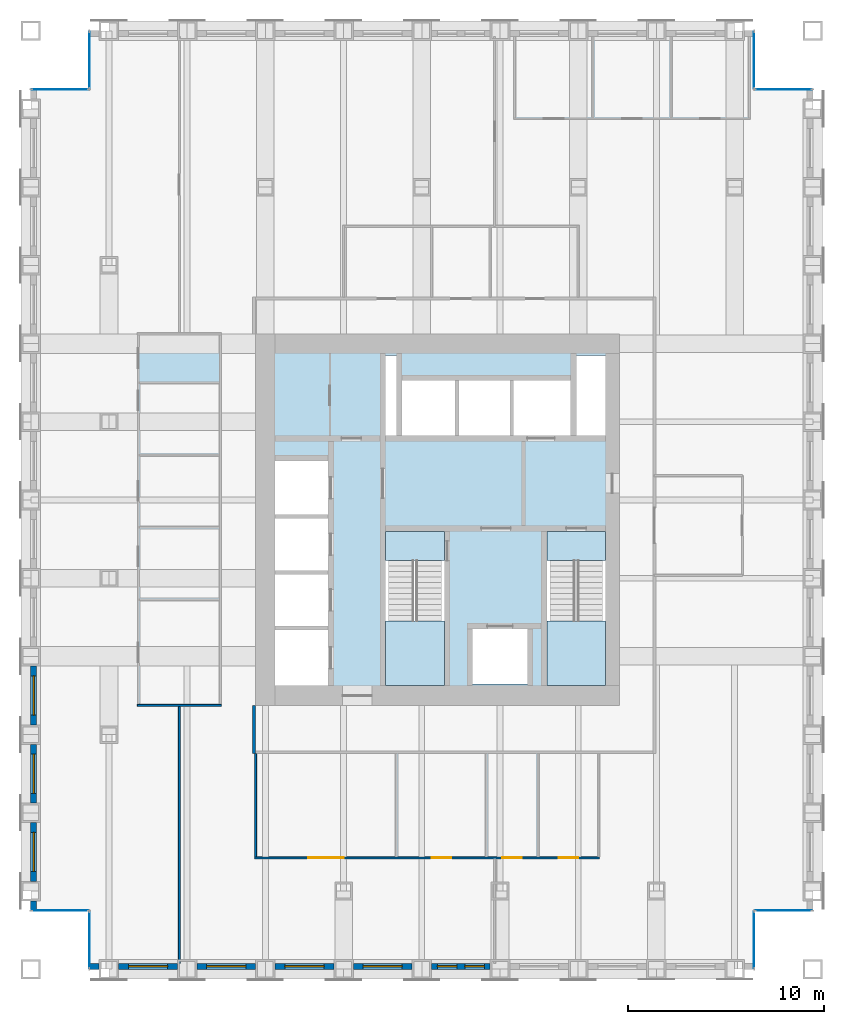
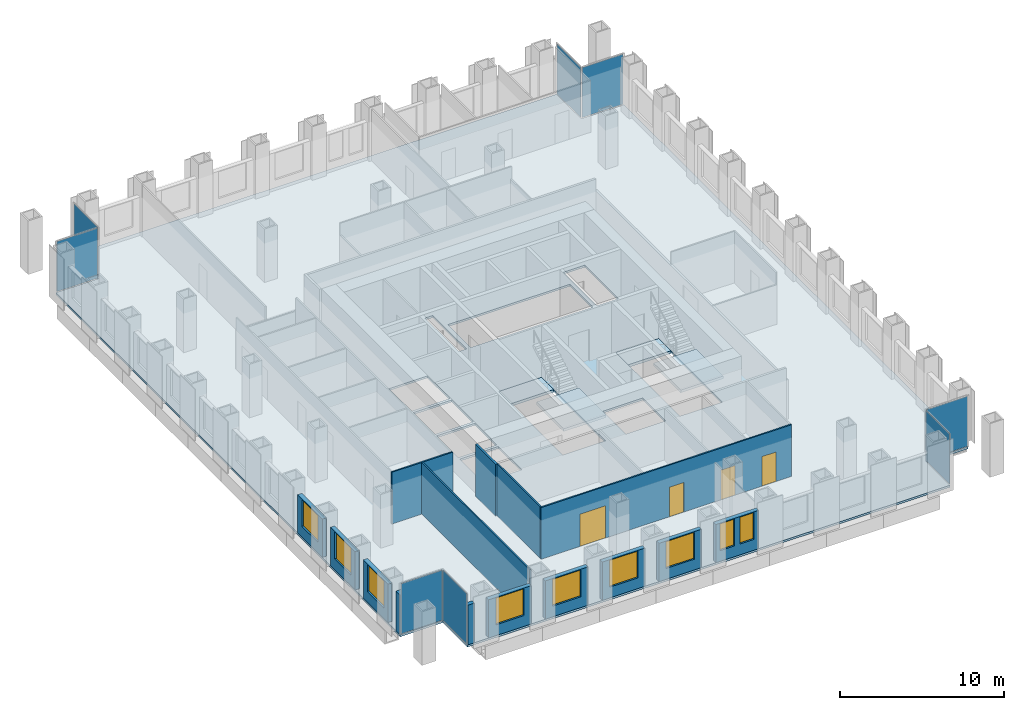
# One storey, part 7 of 12: 15 walls, 9 windows, 8 plates, 5 slabs, 4 doors, 13 openings, 10 elements without a shape of their own.
"""IFC4 building model written with IfcOpenShell, lengths in metres."""

from ifc_helpers import new_model, si_unit, direction, frame, frame_2d, origin, origin_2d, place, context, subcontext, project, spatial, polyline, rectangle, outline, extrude, material, layer, layer_set, type_object, element, fill, aggregate, save


model = new_model("IFC4")

# Units and contexts
model_context = context("Model", 3, precision=1e-05, world=origin(), true_north=direction((0.0, 1.0)))
body_context = subcontext(model_context, "Body", "Model", "MODEL_VIEW")
ifc_project = project(units=[si_unit("LENGTHUNIT", "METRE"), si_unit("AREAUNIT", "SQUARE_METRE"), si_unit("VOLUMEUNIT", "CUBIC_METRE"), si_unit("PLANEANGLEUNIT", "RADIAN"), si_unit("MASSUNIT", "GRAM", prefix="KILO")], contexts=[model_context])

# Site, building, storey
site_placement = place(None, origin())
site = spatial("IfcSite", under=ifc_project, at=site_placement, CompositionType="ELEMENT")
building_placement = place(site_placement, origin())
building = spatial("IfcBuilding", under=site, at=building_placement, Name="Rimbunsela Tower", CompositionType="ELEMENT")
storey_placement = place(building_placement, frame((0.0, 0.0, 159.800048828125)))
storey = spatial("IfcBuildingStorey", under=building, at=storey_placement, Name="L38", CompositionType="ELEMENT", Elevation=159.800048828125)

# Slab
ifc_material_1 = material(Name="Concrete fc' 35 MPa", Category="concrete")
ifc_layer_1 = layer(ifc_material_1, 0.14990234375)
ifc_layer_set_1 = layer_set([ifc_layer_1], Name="Floor slab 150")
slab_type_1 = type_object("IfcSlabType", Name="Floor slab 150", PredefinedType="FLOOR", material=ifc_layer_set_1)
slab_1_placement = place(storey_placement, frame((0.0, 0.0, -0.150146484375)))
element("IfcSlab", 1, at=slab_1_placement, inside=storey, type_object=slab_type_1, Name="Floor slab L38", PredefinedType="FLOOR", context=body_context, shape_type="SweptSolid", body=[
    extrude(outline(polyline([(9.0, 4.0), (43.0, 4.0), (43.0, 7.0), (46.0, 7.0), (46.0, 49.0), (43.0, 49.0), (43.0, 52.0), (9.0, 52.0), (9.0, 49.0), (6.0, 49.0), (6.0, 7.0), (9.0, 7.0), (9.0, 4.0)]), holes=[polyline([(21.199951171875, 21.35009765625), (18.5, 21.35009765625), (18.5, 18.5), (21.199951171875, 18.5), (21.199951171875, 21.35009765625)]), polyline([(21.199951171875, 21.550048828125), (21.199951171875, 24.199951171875), (18.5, 24.199951171875), (18.5, 21.550048828125), (21.199951171875, 21.550048828125)]), polyline([(21.199951171875, 27.050048828125), (18.5, 27.050048828125), (18.5, 24.39990234375), (21.199951171875, 24.39990234375), (21.199951171875, 27.050048828125)]), polyline([(21.199951171875, 27.25), (21.199951171875, 30.0), (18.5, 30.0), (18.5, 27.25), (21.199951171875, 27.25)]), polyline([(27.14990234375, 18.60009765625), (27.14990234375, 26.39990234375), (24.14990234375, 26.39990234375), (24.14990234375, 18.60009765625), (27.14990234375, 18.60009765625)]), polyline([(24.699951171875, 31.300048828125), (24.699951171875, 35.39990234375), (24.14990234375, 35.39990234375), (24.14990234375, 31.300048828125), (24.699951171875, 31.300048828125)]), polyline([(25.0, 34.10009765625), (25.0, 31.300048828125), (33.60009765625, 31.300048828125), (33.60009765625, 34.10009765625), (25.0, 34.10009765625)]), polyline([(31.39990234375, 21.39990234375), (28.60009765625, 21.39990234375), (28.60009765625, 18.60009765625), (31.39990234375, 18.60009765625), (31.39990234375, 21.39990234375)]), polyline([(35.39990234375, 18.60009765625), (35.39990234375, 26.39990234375), (32.39990234375, 26.39990234375), (32.39990234375, 18.60009765625), (35.39990234375, 18.60009765625)]), polyline([(35.39990234375, 31.300048828125), (35.39990234375, 35.39990234375), (33.89990234375, 35.39990234375), (33.89990234375, 31.300048828125), (35.39990234375, 31.300048828125)])]), origin(), (0.0, 0.0, 1.0), 0.150146484375),
])

# Curtain wall, plate
ifc_material_2 = material(Name="Aluminium curtain wall", Category="aluminium")
curtain_wall_type = type_object("IfcCurtainWallType", Name="Corner glazing", PredefinedType="USERDEFINED", material=ifc_material_2)
curtain_wall_1_placement = place(storey_placement, origin())
curtain_wall_1 = element("IfcCurtainWall", 2, at=curtain_wall_1_placement, inside=storey, type_object=curtain_wall_type, Name="Corner glazing L38", ObjectType="CORNER GLAZING", PredefinedType="USERDEFINED")
ifc_material_3 = material(Name="Clear double glazing", Category="glass")
ifc_layer_2 = layer(ifc_material_3, 0.028076171875)
ifc_layer_set_2 = layer_set([ifc_layer_2], Name="Glazed panel clear")
plate_type = type_object("IfcPlateType", Name="Glazed panel clear", PredefinedType="CURTAIN_PANEL", material=ifc_layer_set_2)
plate_1_placement = place(storey_placement, frame((43.0, 5.5, 0.06005859375), z_axis=(0.0, 0.0, 1.0), x_axis=(0.0, 1.0, 0.0)))
plate_1 = element("IfcPlate", 3, at=plate_1_placement, type_object=plate_type, Name="CW5 panel 1.1", PredefinedType="CURTAIN_PANEL", context=body_context, shape_type="SweptSolid", body=[
    extrude(rectangle(XDim=2.8798828125, YDim=0.028076171875, at=origin_2d()), origin(), (0.0, 0.0, 1.0), 3.72998046875),
])
aggregate(curtain_wall_1, [plate_1])

curtain_wall_2_placement = place(storey_placement, origin())
curtain_wall_2 = element("IfcCurtainWall", 4, at=curtain_wall_2_placement, inside=storey, type_object=curtain_wall_type, Name="Corner glazing L38", ObjectType="CORNER GLAZING", PredefinedType="USERDEFINED")
plate_2_placement = place(storey_placement, frame((44.5, 7.0, 0.06005859375), z_axis=(0.0, 0.0, 1.0), x_axis=(1.0, 0.0, 0.0)))
plate_2 = element("IfcPlate", 5, at=plate_2_placement, type_object=plate_type, Name="CW5 panel 1.1", PredefinedType="CURTAIN_PANEL", context=body_context, shape_type="SweptSolid", body=[
    extrude(rectangle(XDim=2.8798828125, YDim=0.028076171875, at=origin_2d()), origin(), (0.0, 0.0, 1.0), 3.72998046875),
])
aggregate(curtain_wall_2, [plate_2])

curtain_wall_3_placement = place(storey_placement, origin())
curtain_wall_3 = element("IfcCurtainWall", 6, at=curtain_wall_3_placement, inside=storey, type_object=curtain_wall_type, Name="Corner glazing L38", ObjectType="CORNER GLAZING", PredefinedType="USERDEFINED")
plate_3_placement = place(storey_placement, frame((44.5, 49.0, 0.06005859375), z_axis=(0.0, 0.0, 1.0), x_axis=(-1.0, 0.0, 0.0)))
plate_3 = element("IfcPlate", 7, at=plate_3_placement, type_object=plate_type, Name="CW5 panel 1.1", PredefinedType="CURTAIN_PANEL", context=body_context, shape_type="SweptSolid", body=[
    extrude(rectangle(XDim=2.8798828125, YDim=0.028076171875, at=origin_2d()), origin(), (0.0, 0.0, 1.0), 3.72998046875),
])
aggregate(curtain_wall_3, [plate_3])

curtain_wall_4_placement = place(storey_placement, origin())
curtain_wall_4 = element("IfcCurtainWall", 8, at=curtain_wall_4_placement, inside=storey, type_object=curtain_wall_type, Name="Corner glazing L38", ObjectType="CORNER GLAZING", PredefinedType="USERDEFINED")
plate_4_placement = place(storey_placement, frame((43.0, 50.5, 0.06005859375), z_axis=(0.0, 0.0, 1.0), x_axis=(0.0, 1.0, 0.0)))
plate_4 = element("IfcPlate", 9, at=plate_4_placement, type_object=plate_type, Name="CW5 panel 1.1", PredefinedType="CURTAIN_PANEL", context=body_context, shape_type="SweptSolid", body=[
    extrude(rectangle(XDim=2.8798828125, YDim=0.028076171875, at=origin_2d()), origin(), (0.0, 0.0, 1.0), 3.72998046875),
])
aggregate(curtain_wall_4, [plate_4])

curtain_wall_5_placement = place(storey_placement, origin())
curtain_wall_5 = element("IfcCurtainWall", 10, at=curtain_wall_5_placement, inside=storey, type_object=curtain_wall_type, Name="Corner glazing L38", ObjectType="CORNER GLAZING", PredefinedType="USERDEFINED")
plate_5_placement = place(storey_placement, frame((9.0, 50.5, 0.06005859375), z_axis=(0.0, 0.0, 1.0), x_axis=(0.0, -1.0, 0.0)))
plate_5 = element("IfcPlate", 11, at=plate_5_placement, type_object=plate_type, Name="CW5 panel 1.1", PredefinedType="CURTAIN_PANEL", context=body_context, shape_type="SweptSolid", body=[
    extrude(rectangle(XDim=2.8798828125, YDim=0.028076171875, at=origin_2d()), origin(), (0.0, 0.0, 1.0), 3.72998046875),
])
aggregate(curtain_wall_5, [plate_5])

curtain_wall_6_placement = place(storey_placement, origin())
curtain_wall_6 = element("IfcCurtainWall", 12, at=curtain_wall_6_placement, inside=storey, type_object=curtain_wall_type, Name="Corner glazing L38", ObjectType="CORNER GLAZING", PredefinedType="USERDEFINED")
plate_6_placement = place(storey_placement, frame((7.5, 49.0, 0.06005859375), z_axis=(0.0, 0.0, 1.0), x_axis=(-1.0, 0.0, 0.0)))
plate_6 = element("IfcPlate", 13, at=plate_6_placement, type_object=plate_type, Name="CW5 panel 1.1", PredefinedType="CURTAIN_PANEL", context=body_context, shape_type="SweptSolid", body=[
    extrude(rectangle(XDim=2.8798828125, YDim=0.028076171875, at=origin_2d()), origin(), (0.0, 0.0, 1.0), 3.72998046875),
])
aggregate(curtain_wall_6, [plate_6])

curtain_wall_7_placement = place(storey_placement, origin())
curtain_wall_7 = element("IfcCurtainWall", 14, at=curtain_wall_7_placement, inside=storey, type_object=curtain_wall_type, Name="Corner glazing L38", ObjectType="CORNER GLAZING", PredefinedType="USERDEFINED")
plate_7_placement = place(storey_placement, frame((7.5, 7.0, 0.06005859375), z_axis=(0.0, 0.0, 1.0), x_axis=(1.0, 0.0, 0.0)))
plate_7 = element("IfcPlate", 15, at=plate_7_placement, type_object=plate_type, Name="CW5 panel 1.1", PredefinedType="CURTAIN_PANEL", context=body_context, shape_type="SweptSolid", body=[
    extrude(rectangle(XDim=2.8798828125, YDim=0.028076171875, at=origin_2d()), origin(), (0.0, 0.0, 1.0), 3.72998046875),
])
aggregate(curtain_wall_7, [plate_7])

curtain_wall_8_placement = place(storey_placement, origin())
curtain_wall_8 = element("IfcCurtainWall", 16, at=curtain_wall_8_placement, inside=storey, type_object=curtain_wall_type, Name="Corner glazing L38", ObjectType="CORNER GLAZING", PredefinedType="USERDEFINED")
plate_8_placement = place(storey_placement, frame((9.0, 5.5, 0.06005859375), z_axis=(0.0, 0.0, 1.0), x_axis=(0.0, -1.0, 0.0)))
plate_8 = element("IfcPlate", 17, at=plate_8_placement, type_object=plate_type, Name="CW5 panel 1.1", PredefinedType="CURTAIN_PANEL", context=body_context, shape_type="SweptSolid", body=[
    extrude(rectangle(XDim=2.8798828125, YDim=0.028076171875, at=origin_2d()), origin(), (0.0, 0.0, 1.0), 3.72998046875),
])
aggregate(curtain_wall_8, [plate_8])

# Stair, slabs
ifc_material_4 = material(Name="Concrete fc' 35 MPa", Category="concrete")
stair_type = type_object("IfcStairType", Name="Exit stair 24 risers", PredefinedType="HALF_TURN_STAIR", material=ifc_material_4)
stair_1_placement = place(storey_placement, origin())
stair_1 = element("IfcStair", 18, at=stair_1_placement, inside=storey, type_object=stair_type, Name="Exit stair A L38", PredefinedType="HALF_TURN_STAIR")
ifc_material_5 = material(Name="Concrete fc' 35 MPa", Category="concrete")
ifc_layer_3 = layer(ifc_material_5, 0.199951171875)
ifc_layer_set_3 = layer_set([ifc_layer_3], Name="Stair landing 200")
slab_type_2 = type_object("IfcSlabType", Name="Stair landing 200", PredefinedType="LANDING", material=ifc_layer_set_3)
slab_2_placement = place(storey_placement, frame((0.0, 0.0, -0.199951171875)))
slab_2 = element("IfcSlab", 19, at=slab_2_placement, type_object=slab_type_2, Name="ST-A landing 1", PredefinedType="LANDING", context=body_context, shape_type="SweptSolid", body=[
    extrude(outline(polyline([(24.14990234375, 24.89990234375), (27.14990234375, 24.89990234375), (27.14990234375, 26.39990234375), (24.14990234375, 26.39990234375), (24.14990234375, 24.89990234375)])), origin(), (0.0, 0.0, 1.0), 0.199951171875),
])
slab_3_placement = place(storey_placement, frame((0.0, 0.0, 1.800048828125)))
slab_3 = element("IfcSlab", 20, at=slab_3_placement, type_object=slab_type_2, Name="ST-A landing 2", PredefinedType="LANDING", context=body_context, shape_type="SweptSolid", body=[
    extrude(outline(polyline([(24.14990234375, 18.5), (27.14990234375, 18.5), (27.14990234375, 21.820068359375), (24.14990234375, 21.820068359375), (24.14990234375, 18.5)])), origin(), (0.0, 0.0, 1.0), 0.199951171875),
])
aggregate(stair_1, [slab_2, slab_3])

stair_2_placement = place(storey_placement, origin())
stair_2 = element("IfcStair", 21, at=stair_2_placement, inside=storey, type_object=stair_type, Name="Exit stair B L38", PredefinedType="HALF_TURN_STAIR")
slab_4_placement = place(storey_placement, frame((0.0, 0.0, -0.199951171875)))
slab_4 = element("IfcSlab", 22, at=slab_4_placement, type_object=slab_type_2, Name="ST-B landing 1", PredefinedType="LANDING", context=body_context, shape_type="SweptSolid", body=[
    extrude(outline(polyline([(32.39990234375, 24.89990234375), (35.39990234375, 24.89990234375), (35.39990234375, 26.39990234375), (32.39990234375, 26.39990234375), (32.39990234375, 24.89990234375)])), origin(), (0.0, 0.0, 1.0), 0.199951171875),
])
slab_5_placement = place(storey_placement, frame((0.0, 0.0, 1.800048828125)))
slab_5 = element("IfcSlab", 23, at=slab_5_placement, type_object=slab_type_2, Name="ST-B landing 2", PredefinedType="LANDING", context=body_context, shape_type="SweptSolid", body=[
    extrude(outline(polyline([(32.39990234375, 18.5), (35.39990234375, 18.5), (35.39990234375, 21.820068359375), (32.39990234375, 21.820068359375), (32.39990234375, 18.5)])), origin(), (0.0, 0.0, 1.0), 0.199951171875),
])
aggregate(stair_2, [slab_4, slab_5])

# Wall, openings, doors
ifc_material_6 = material(Name="Gypsum board on steel studs", Category="steel")
ifc_layer_4 = layer(ifc_material_6, 0.10009765625)
ifc_layer_set_4 = layer_set([ifc_layer_4], Name="Office partition 100")
wall_type_1 = type_object("IfcWallType", Name="Office partition 100", PredefinedType="PARTITIONING", material=ifc_layer_set_4)
wall_1_placement = place(storey_placement, frame((17.449951171875, 9.699951171875, 0.0), z_axis=(0.0, 0.0, 1.0), x_axis=(1.0, 0.0, 0.0)))
wall_1 = element("IfcWall", 24, at=wall_1_placement, inside=storey, type_object=wall_type_1, Name="Office partition", PredefinedType="PARTITIONING", context=body_context, shape_type="SweptSolid", body=[
    extrude(rectangle(XDim=17.650146484375, YDim=0.10009765625, at=frame_2d((8.8251953125, 0.0))), origin(), (0.0, 0.0, 1.0), 3.849853515625),
])
opening_1_placement = place(wall_1_placement, frame((2.75, 0.0, 0.0)))
opening_1 = element("IfcOpeningElement", 25, at=opening_1_placement, cuts=wall_1, Name="Opening D18", PredefinedType="OPENING", context=body_context, shape_type="SweptSolid", body=[
    extrude(rectangle(XDim=1.800048828125, YDim=2.39990234375, at=frame_2d((0.89990234375, 1.199951171875))), frame((0.0, 0.06005859375, 0.0), z_axis=(0.0, -1.0, 0.0), x_axis=(1.0, 0.0, 0.0)), (0.0, 0.0, 1.0), 0.1201171875),
])
opening_2_placement = place(wall_1_placement, frame((9.050048828125, 0.0, 0.0)))
opening_2 = element("IfcOpeningElement", 26, at=opening_2_placement, cuts=wall_1, Name="Opening D16", PredefinedType="OPENING", context=body_context, shape_type="SweptSolid", body=[
    extrude(rectangle(XDim=1.0, YDim=2.199951171875, at=frame_2d((0.5, 1.10009765625))), frame((0.0, 0.06005859375, 0.0), z_axis=(0.0, -1.0, 0.0), x_axis=(1.0, 0.0, 0.0)), (0.0, 0.0, 1.0), 0.1201171875),
])
opening_3_placement = place(wall_1_placement, frame((12.675048828125, 0.0, 0.0)))
opening_3 = element("IfcOpeningElement", 27, at=opening_3_placement, cuts=wall_1, Name="Opening D16", PredefinedType="OPENING", context=body_context, shape_type="SweptSolid", body=[
    extrude(rectangle(XDim=1.0, YDim=2.199951171875, at=frame_2d((0.5, 1.10009765625))), frame((0.0, 0.06005859375, 0.0), z_axis=(0.0, -1.0, 0.0), x_axis=(1.0, 0.0, 0.0)), (0.0, 0.0, 1.0), 0.1201171875),
])
opening_4_placement = place(wall_1_placement, frame((15.550048828125, 0.0, 0.0)))
opening_4 = element("IfcOpeningElement", 28, at=opening_4_placement, cuts=wall_1, Name="Opening D16", PredefinedType="OPENING", context=body_context, shape_type="SweptSolid", body=[
    extrude(rectangle(XDim=1.0, YDim=2.199951171875, at=frame_2d((0.5, 1.10009765625))), frame((0.0, 0.06005859375, 0.0), z_axis=(0.0, -1.0, 0.0), x_axis=(1.0, 0.0, 0.0)), (0.0, 0.0, 1.0), 0.1201171875),
])
ifc_material_7 = material(Name="Glazed aluminium door", Category="aluminium")
door_type_1 = type_object("IfcDoorType", Name="Boardroom door 1800 glazed", OperationType="DOUBLE_DOOR_DOUBLE_SWING", PredefinedType="DOOR", material=ifc_material_7)
door_1_placement = place(opening_1_placement, origin())
door_1 = element("IfcDoor", 29, at=door_1_placement, inside=storey, type_object=door_type_1, Name="Boardroom door", OperationType="DOUBLE_DOOR_DOUBLE_SWING", OverallHeight=2.39990234375, OverallWidth=1.800048828125, PredefinedType="DOOR", context=body_context, shape_type="SweptSolid", body=[
    extrude(rectangle(XDim=1.800048828125, YDim=2.39990234375, at=frame_2d((0.89990234375, 1.199951171875))), frame((0.0, 0.02490234375, 0.0), z_axis=(0.0, -1.0, 0.0), x_axis=(1.0, 0.0, 0.0)), (0.0, 0.0, 1.0), 0.050048828125),
])
fill(opening_1, door_1)
ifc_material_8 = material(Name="Timber door", Category="wood")
door_type_2 = type_object("IfcDoorType", Name="Office door 1000", OperationType="SINGLE_SWING_LEFT", PredefinedType="DOOR", material=ifc_material_8)
door_2_placement = place(opening_2_placement, origin())
door_2 = element("IfcDoor", 30, at=door_2_placement, inside=storey, type_object=door_type_2, Name="Office door", OperationType="SINGLE_SWING_LEFT", OverallHeight=2.199951171875, OverallWidth=1.0, PredefinedType="DOOR", context=body_context, shape_type="SweptSolid", body=[
    extrude(rectangle(XDim=1.0, YDim=2.199951171875, at=frame_2d((0.5, 1.10009765625))), frame((0.0, 0.02490234375, 0.0), z_axis=(0.0, -1.0, 0.0), x_axis=(1.0, 0.0, 0.0)), (0.0, 0.0, 1.0), 0.050048828125),
])
fill(opening_2, door_2)
door_3_placement = place(opening_3_placement, origin())
door_3 = element("IfcDoor", 31, at=door_3_placement, inside=storey, type_object=door_type_2, Name="Office door", OperationType="SINGLE_SWING_LEFT", OverallHeight=2.199951171875, OverallWidth=1.0, PredefinedType="DOOR", context=body_context, shape_type="SweptSolid", body=[
    extrude(rectangle(XDim=1.0, YDim=2.199951171875, at=frame_2d((0.5, 1.10009765625))), frame((0.0, 0.02490234375, 0.0), z_axis=(0.0, -1.0, 0.0), x_axis=(1.0, 0.0, 0.0)), (0.0, 0.0, 1.0), 0.050048828125),
])
fill(opening_3, door_3)
door_4_placement = place(opening_4_placement, origin())
door_4 = element("IfcDoor", 32, at=door_4_placement, inside=storey, type_object=door_type_2, Name="Office door", OperationType="SINGLE_SWING_LEFT", OverallHeight=2.199951171875, OverallWidth=1.0, PredefinedType="DOOR", context=body_context, shape_type="SweptSolid", body=[
    extrude(rectangle(XDim=1.0, YDim=2.199951171875, at=frame_2d((0.5, 1.10009765625))), frame((0.0, 0.02490234375, 0.0), z_axis=(0.0, -1.0, 0.0), x_axis=(1.0, 0.0, 0.0)), (0.0, 0.0, 1.0), 0.050048828125),
])
fill(opening_4, door_4)

# Walls
wall_2_placement = place(storey_placement, frame((11.449951171875, 17.5, 0.0), z_axis=(0.0, 0.0, 1.0), x_axis=(1.0, 0.0, 0.0)))
element("IfcWall", 33, at=wall_2_placement, inside=storey, type_object=wall_type_1, Name="Office partition", PredefinedType="PARTITIONING", context=body_context, shape_type="SweptSolid", body=[
    extrude(rectangle(XDim=4.300048828125, YDim=0.10009765625, at=frame_2d((2.14990234375, 0.0))), origin(), (0.0, 0.0, 1.0), 3.849853515625),
])
wall_3_placement = place(storey_placement, frame((17.5, 9.75, 0.0), z_axis=(0.0, 0.0, 1.0), x_axis=(0.0, 1.0, 0.0)))
element("IfcWall", 34, at=wall_3_placement, inside=storey, type_object=wall_type_1, Name="Office partition", PredefinedType="PARTITIONING", context=body_context, shape_type="SweptSolid", body=[
    extrude(rectangle(XDim=5.27490234375, YDim=0.10009765625, at=frame_2d((2.637451171875, 0.0))), origin(), (0.0, 0.0, 1.0), 3.849853515625),
])
wall_4_placement = place(storey_placement, frame((13.60009765625, 4.300048828125, 0.0), z_axis=(0.0, 0.0, 1.0), x_axis=(0.0, 1.0, 0.0)))
element("IfcWall", 35, at=wall_4_placement, inside=storey, type_object=wall_type_1, Name="Office partition", PredefinedType="PARTITIONING", context=body_context, shape_type="SweptSolid", body=[
    extrude(rectangle(XDim=13.14990234375, YDim=0.10009765625, at=frame_2d((6.574951171875, 0.0))), origin(), (0.0, 0.0, 1.0), 3.849853515625),
])
ifc_material_9 = material(Name="Precast concrete fc' 35 MPa", Category="concrete")
ifc_layer_5 = layer(ifc_material_9, 0.300048828125)
ifc_layer_set_5 = layer_set([ifc_layer_5], Name="Precast concrete fc' 35 MPa")
wall_type_2 = type_object("IfcWallType", Name="Precast facade panel 300", PredefinedType="ELEMENTEDWALL", material=ifc_layer_set_5)
wall_5_placement = place(storey_placement, frame((9.030029296875, 4.14990234375, 0.0), z_axis=(0.0, 0.0, 1.0), x_axis=(1.0, 0.0, 0.0)))
element("IfcWall", 36, at=wall_5_placement, inside=storey, type_object=wall_type_2, Name="Facade panel S L38", PredefinedType="ELEMENTEDWALL", context=body_context, shape_type="SweptSolid", body=[
    extrude(rectangle(XDim=0.469970703125, YDim=0.300048828125, at=frame_2d((0.23486328125, 0.0))), origin(), (0.0, 0.0, 1.0), 2.949951171875),
])

# Wall, opening, window
wall_6_placement = place(storey_placement, frame((10.5, 4.14990234375, 0.0), z_axis=(0.0, 0.0, 1.0), x_axis=(1.0, 0.0, 0.0)))
wall_6 = element("IfcWall", 37, at=wall_6_placement, inside=storey, type_object=wall_type_2, Name="Facade panel S L38", PredefinedType="ELEMENTEDWALL", context=body_context, shape_type="SweptSolid", body=[
    extrude(rectangle(XDim=3.0, YDim=0.300048828125, at=frame_2d((1.5, 0.0))), origin(), (0.0, 0.0, 1.0), 2.849853515625),
])
opening_5_placement = place(wall_6_placement, frame((0.5, 0.0, 0.800048828125)))
opening_5 = element("IfcOpeningElement", 38, at=opening_5_placement, cuts=wall_6, Name="Opening W1", PredefinedType="OPENING", context=body_context, shape_type="SweptSolid", body=[
    extrude(rectangle(XDim=2.0, YDim=2.0, at=frame_2d((1.0, 1.0))), frame((0.0, 0.159912109375, 0.0), z_axis=(0.0, -1.0, 0.0), x_axis=(1.0, 0.0, 0.0)), (0.0, 0.0, 1.0), 0.320068359375),
])
ifc_material_10 = material(Name="Clear glass in aluminium frame", Category="aluminium")
window_type_1 = type_object("IfcWindowType", Name="Window W1 2000x2000", PartitioningType="DOUBLE_PANEL_VERTICAL", PredefinedType="WINDOW", material=ifc_material_10)
window_1_placement = place(opening_5_placement, origin())
window_1 = element("IfcWindow", 39, at=window_1_placement, inside=storey, type_object=window_type_1, Name="Window L38", OverallHeight=2.0, OverallWidth=2.0, PartitioningType="SINGLE_PANEL", PredefinedType="WINDOW", context=body_context, shape_type="SweptSolid", body=[
    extrude(rectangle(XDim=2.0, YDim=2.0, at=frame_2d((1.0, 1.0))), frame((0.0, 0.030029296875, 0.0), z_axis=(0.0, -1.0, 0.0), x_axis=(1.0, 0.0, 0.0)), (0.0, 0.0, 1.0), 0.06005859375),
])
fill(opening_5, window_1)

wall_7_placement = place(storey_placement, frame((14.5, 4.14990234375, 0.0), z_axis=(0.0, 0.0, 1.0), x_axis=(1.0, 0.0, 0.0)))
wall_7 = element("IfcWall", 40, at=wall_7_placement, inside=storey, type_object=wall_type_2, Name="Facade panel S L38", PredefinedType="ELEMENTEDWALL", context=body_context, shape_type="SweptSolid", body=[
    extrude(rectangle(XDim=3.0, YDim=0.300048828125, at=frame_2d((1.5, 0.0))), origin(), (0.0, 0.0, 1.0), 2.849853515625),
])
opening_6_placement = place(wall_7_placement, frame((0.5, 0.0, 0.800048828125)))
opening_6 = element("IfcOpeningElement", 41, at=opening_6_placement, cuts=wall_7, Name="Opening W1", PredefinedType="OPENING", context=body_context, shape_type="SweptSolid", body=[
    extrude(rectangle(XDim=2.0, YDim=2.0, at=frame_2d((1.0, 1.0))), frame((0.0, 0.159912109375, 0.0), z_axis=(0.0, -1.0, 0.0), x_axis=(1.0, 0.0, 0.0)), (0.0, 0.0, 1.0), 0.320068359375),
])
window_2_placement = place(opening_6_placement, origin())
window_2 = element("IfcWindow", 42, at=window_2_placement, inside=storey, type_object=window_type_1, Name="Window L38", OverallHeight=2.0, OverallWidth=2.0, PartitioningType="SINGLE_PANEL", PredefinedType="WINDOW", context=body_context, shape_type="SweptSolid", body=[
    extrude(rectangle(XDim=2.0, YDim=2.0, at=frame_2d((1.0, 1.0))), frame((0.0, 0.030029296875, 0.0), z_axis=(0.0, -1.0, 0.0), x_axis=(1.0, 0.0, 0.0)), (0.0, 0.0, 1.0), 0.06005859375),
])
fill(opening_6, window_2)

wall_8_placement = place(storey_placement, frame((18.5, 4.14990234375, 0.0), z_axis=(0.0, 0.0, 1.0), x_axis=(1.0, 0.0, 0.0)))
wall_8 = element("IfcWall", 43, at=wall_8_placement, inside=storey, type_object=wall_type_2, Name="Facade panel S L38", PredefinedType="ELEMENTEDWALL", context=body_context, shape_type="SweptSolid", body=[
    extrude(rectangle(XDim=3.0, YDim=0.300048828125, at=frame_2d((1.5, 0.0))), origin(), (0.0, 0.0, 1.0), 2.849853515625),
])
opening_7_placement = place(wall_8_placement, frame((0.5, 0.0, 0.800048828125)))
opening_7 = element("IfcOpeningElement", 44, at=opening_7_placement, cuts=wall_8, Name="Opening W1", PredefinedType="OPENING", context=body_context, shape_type="SweptSolid", body=[
    extrude(rectangle(XDim=2.0, YDim=2.0, at=frame_2d((1.0, 1.0))), frame((0.0, 0.159912109375, 0.0), z_axis=(0.0, -1.0, 0.0), x_axis=(1.0, 0.0, 0.0)), (0.0, 0.0, 1.0), 0.320068359375),
])
window_3_placement = place(opening_7_placement, origin())
window_3 = element("IfcWindow", 45, at=window_3_placement, inside=storey, type_object=window_type_1, Name="Window L38", OverallHeight=2.0, OverallWidth=2.0, PartitioningType="SINGLE_PANEL", PredefinedType="WINDOW", context=body_context, shape_type="SweptSolid", body=[
    extrude(rectangle(XDim=2.0, YDim=2.0, at=frame_2d((1.0, 1.0))), frame((0.0, 0.030029296875, 0.0), z_axis=(0.0, -1.0, 0.0), x_axis=(1.0, 0.0, 0.0)), (0.0, 0.0, 1.0), 0.06005859375),
])
fill(opening_7, window_3)

wall_9_placement = place(storey_placement, frame((22.5, 4.14990234375, 0.0), z_axis=(0.0, 0.0, 1.0), x_axis=(1.0, 0.0, 0.0)))
wall_9 = element("IfcWall", 46, at=wall_9_placement, inside=storey, type_object=wall_type_2, Name="Facade panel S L38", PredefinedType="ELEMENTEDWALL", context=body_context, shape_type="SweptSolid", body=[
    extrude(rectangle(XDim=3.0, YDim=0.300048828125, at=frame_2d((1.5, 0.0))), origin(), (0.0, 0.0, 1.0), 2.849853515625),
])
opening_8_placement = place(wall_9_placement, frame((0.5, 0.0, 0.800048828125)))
opening_8 = element("IfcOpeningElement", 47, at=opening_8_placement, cuts=wall_9, Name="Opening W1", PredefinedType="OPENING", context=body_context, shape_type="SweptSolid", body=[
    extrude(rectangle(XDim=2.0, YDim=2.0, at=frame_2d((1.0, 1.0))), frame((0.0, 0.159912109375, 0.0), z_axis=(0.0, -1.0, 0.0), x_axis=(1.0, 0.0, 0.0)), (0.0, 0.0, 1.0), 0.320068359375),
])
window_4_placement = place(opening_8_placement, origin())
window_4 = element("IfcWindow", 48, at=window_4_placement, inside=storey, type_object=window_type_1, Name="Window L38", OverallHeight=2.0, OverallWidth=2.0, PartitioningType="SINGLE_PANEL", PredefinedType="WINDOW", context=body_context, shape_type="SweptSolid", body=[
    extrude(rectangle(XDim=2.0, YDim=2.0, at=frame_2d((1.0, 1.0))), frame((0.0, 0.030029296875, 0.0), z_axis=(0.0, -1.0, 0.0), x_axis=(1.0, 0.0, 0.0)), (0.0, 0.0, 1.0), 0.06005859375),
])
fill(opening_8, window_4)

# Wall, openings, windows
wall_10_placement = place(storey_placement, frame((26.5, 4.14990234375, 0.0), z_axis=(0.0, 0.0, 1.0), x_axis=(1.0, 0.0, 0.0)))
wall_10 = element("IfcWall", 49, at=wall_10_placement, inside=storey, type_object=wall_type_2, Name="Facade panel S L38", PredefinedType="ELEMENTEDWALL", context=body_context, shape_type="SweptSolid", body=[
    extrude(rectangle(XDim=3.0, YDim=0.300048828125, at=frame_2d((1.5, 0.0))), origin(), (0.0, 0.0, 1.0), 2.849853515625),
])
opening_9_placement = place(wall_10_placement, frame((0.300048828125, 0.0, 0.800048828125)))
opening_9 = element("IfcOpeningElement", 50, at=opening_9_placement, cuts=wall_10, Name="Opening W5", PredefinedType="OPENING", context=body_context, shape_type="SweptSolid", body=[
    extrude(rectangle(XDim=1.0, YDim=2.0, at=frame_2d((0.5, 1.0))), frame((0.0, 0.159912109375, 0.0), z_axis=(0.0, -1.0, 0.0), x_axis=(1.0, 0.0, 0.0)), (0.0, 0.0, 1.0), 0.320068359375),
])
opening_10_placement = place(wall_10_placement, frame((1.699951171875, 0.0, 0.800048828125)))
opening_10 = element("IfcOpeningElement", 51, at=opening_10_placement, cuts=wall_10, Name="Opening W5", PredefinedType="OPENING", context=body_context, shape_type="SweptSolid", body=[
    extrude(rectangle(XDim=1.0, YDim=2.0, at=frame_2d((0.5, 1.0))), frame((0.0, 0.159912109375, 0.0), z_axis=(0.0, -1.0, 0.0), x_axis=(1.0, 0.0, 0.0)), (0.0, 0.0, 1.0), 0.320068359375),
])
ifc_material_11 = material(Name="Clear glass in aluminium frame", Category="aluminium")
window_type_2 = type_object("IfcWindowType", Name="Window W5 1000x2000", PartitioningType="SINGLE_PANEL", PredefinedType="WINDOW", material=ifc_material_11)
window_5_placement = place(opening_9_placement, origin())
window_5 = element("IfcWindow", 52, at=window_5_placement, inside=storey, type_object=window_type_2, Name="Window L38", OverallHeight=2.0, OverallWidth=1.0, PartitioningType="SINGLE_PANEL", PredefinedType="WINDOW", context=body_context, shape_type="SweptSolid", body=[
    extrude(rectangle(XDim=1.0, YDim=2.0, at=frame_2d((0.5, 1.0))), frame((0.0, 0.030029296875, 0.0), z_axis=(0.0, -1.0, 0.0), x_axis=(1.0, 0.0, 0.0)), (0.0, 0.0, 1.0), 0.06005859375),
])
fill(opening_9, window_5)
window_6_placement = place(opening_10_placement, origin())
window_6 = element("IfcWindow", 53, at=window_6_placement, inside=storey, type_object=window_type_2, Name="Window L38", OverallHeight=2.0, OverallWidth=1.0, PartitioningType="SINGLE_PANEL", PredefinedType="WINDOW", context=body_context, shape_type="SweptSolid", body=[
    extrude(rectangle(XDim=1.0, YDim=2.0, at=frame_2d((0.5, 1.0))), frame((0.0, 0.030029296875, 0.0), z_axis=(0.0, -1.0, 0.0), x_axis=(1.0, 0.0, 0.0)), (0.0, 0.0, 1.0), 0.06005859375),
])
fill(opening_10, window_6)

# Wall
wall_11_placement = place(storey_placement, frame((6.14990234375, 7.5, 0.0), z_axis=(0.0, 0.0, 1.0), x_axis=(0.0, -1.0, 0.0)))
element("IfcWall", 54, at=wall_11_placement, inside=storey, type_object=wall_type_2, Name="Facade panel W L38", PredefinedType="ELEMENTEDWALL", context=body_context, shape_type="SweptSolid", body=[
    extrude(rectangle(XDim=0.469970703125, YDim=0.300048828125, at=frame_2d((0.23486328125, 0.0))), origin(), (0.0, 0.0, 1.0), 2.949951171875),
])

# Wall, opening, window
wall_12_placement = place(storey_placement, frame((6.14990234375, 11.5, 0.0), z_axis=(0.0, 0.0, 1.0), x_axis=(0.0, -1.0, 0.0)))
wall_12 = element("IfcWall", 55, at=wall_12_placement, inside=storey, type_object=wall_type_2, Name="Facade panel W L38", PredefinedType="ELEMENTEDWALL", context=body_context, shape_type="SweptSolid", body=[
    extrude(rectangle(XDim=3.0, YDim=0.300048828125, at=frame_2d((1.5, 0.0))), origin(), (0.0, 0.0, 1.0), 2.849853515625),
])
opening_11_placement = place(wall_12_placement, frame((0.5, 0.0, 0.800048828125)))
opening_11 = element("IfcOpeningElement", 56, at=opening_11_placement, cuts=wall_12, Name="Opening W1", PredefinedType="OPENING", context=body_context, shape_type="SweptSolid", body=[
    extrude(rectangle(XDim=2.0, YDim=2.0, at=frame_2d((1.0, 1.0))), frame((0.0, 0.159912109375, 0.0), z_axis=(0.0, -1.0, 0.0), x_axis=(1.0, 0.0, 0.0)), (0.0, 0.0, 1.0), 0.320068359375),
])
window_7_placement = place(opening_11_placement, origin())
window_7 = element("IfcWindow", 57, at=window_7_placement, inside=storey, type_object=window_type_1, Name="Window L38", OverallHeight=2.0, OverallWidth=2.0, PartitioningType="SINGLE_PANEL", PredefinedType="WINDOW", context=body_context, shape_type="SweptSolid", body=[
    extrude(rectangle(XDim=2.0, YDim=2.0, at=frame_2d((1.0, 1.0))), frame((0.0, 0.030029296875, 0.0), z_axis=(0.0, -1.0, 0.0), x_axis=(1.0, 0.0, 0.0)), (0.0, 0.0, 1.0), 0.06005859375),
])
fill(opening_11, window_7)

wall_13_placement = place(storey_placement, frame((6.14990234375, 15.5, 0.0), z_axis=(0.0, 0.0, 1.0), x_axis=(0.0, -1.0, 0.0)))
wall_13 = element("IfcWall", 58, at=wall_13_placement, inside=storey, type_object=wall_type_2, Name="Facade panel W L38", PredefinedType="ELEMENTEDWALL", context=body_context, shape_type="SweptSolid", body=[
    extrude(rectangle(XDim=3.0, YDim=0.300048828125, at=frame_2d((1.5, 0.0))), origin(), (0.0, 0.0, 1.0), 2.849853515625),
])
opening_12_placement = place(wall_13_placement, frame((0.5, 0.0, 0.800048828125)))
opening_12 = element("IfcOpeningElement", 59, at=opening_12_placement, cuts=wall_13, Name="Opening W1", PredefinedType="OPENING", context=body_context, shape_type="SweptSolid", body=[
    extrude(rectangle(XDim=2.0, YDim=2.0, at=frame_2d((1.0, 1.0))), frame((0.0, 0.159912109375, 0.0), z_axis=(0.0, -1.0, 0.0), x_axis=(1.0, 0.0, 0.0)), (0.0, 0.0, 1.0), 0.320068359375),
])
window_8_placement = place(opening_12_placement, origin())
window_8 = element("IfcWindow", 60, at=window_8_placement, inside=storey, type_object=window_type_1, Name="Window L38", OverallHeight=2.0, OverallWidth=2.0, PartitioningType="SINGLE_PANEL", PredefinedType="WINDOW", context=body_context, shape_type="SweptSolid", body=[
    extrude(rectangle(XDim=2.0, YDim=2.0, at=frame_2d((1.0, 1.0))), frame((0.0, 0.030029296875, 0.0), z_axis=(0.0, -1.0, 0.0), x_axis=(1.0, 0.0, 0.0)), (0.0, 0.0, 1.0), 0.06005859375),
])
fill(opening_12, window_8)

wall_14_placement = place(storey_placement, frame((6.14990234375, 19.5, 0.0), z_axis=(0.0, 0.0, 1.0), x_axis=(0.0, -1.0, 0.0)))
wall_14 = element("IfcWall", 61, at=wall_14_placement, inside=storey, type_object=wall_type_2, Name="Facade panel W L38", PredefinedType="ELEMENTEDWALL", context=body_context, shape_type="SweptSolid", body=[
    extrude(rectangle(XDim=3.0, YDim=0.300048828125, at=frame_2d((1.5, 0.0))), origin(), (0.0, 0.0, 1.0), 2.849853515625),
])
opening_13_placement = place(wall_14_placement, frame((0.5, 0.0, 0.800048828125)))
opening_13 = element("IfcOpeningElement", 62, at=opening_13_placement, cuts=wall_14, Name="Opening W1", PredefinedType="OPENING", context=body_context, shape_type="SweptSolid", body=[
    extrude(rectangle(XDim=2.0, YDim=2.0, at=frame_2d((1.0, 1.0))), frame((0.0, 0.159912109375, 0.0), z_axis=(0.0, -1.0, 0.0), x_axis=(1.0, 0.0, 0.0)), (0.0, 0.0, 1.0), 0.320068359375),
])
window_9_placement = place(opening_13_placement, origin())
window_9 = element("IfcWindow", 63, at=window_9_placement, inside=storey, type_object=window_type_1, Name="Window L38", OverallHeight=2.0, OverallWidth=2.0, PartitioningType="SINGLE_PANEL", PredefinedType="WINDOW", context=body_context, shape_type="SweptSolid", body=[
    extrude(rectangle(XDim=2.0, YDim=2.0, at=frame_2d((1.0, 1.0))), frame((0.0, 0.030029296875, 0.0), z_axis=(0.0, -1.0, 0.0), x_axis=(1.0, 0.0, 0.0)), (0.0, 0.0, 1.0), 0.06005859375),
])
fill(opening_13, window_9)

# Wall
ifc_material_12 = material(Name="Fire-rated gypsum board on steel studs, EI 60", Category="steel")
ifc_layer_6 = layer(ifc_material_12, 0.14990234375)
ifc_layer_set_6 = layer_set([ifc_layer_6], Name="Rated corridor wall 150")
wall_type_3 = type_object("IfcWallType", Name="Rated corridor wall 150", PredefinedType="PARTITIONING", material=ifc_layer_set_6)
wall_15_placement = place(storey_placement, frame((17.425048828125, 15.02490234375, 0.0), z_axis=(0.0, 0.0, 1.0), x_axis=(0.0, 1.0, 0.0)))
element("IfcWall", 64, at=wall_15_placement, inside=storey, type_object=wall_type_3, Name="Corridor end wall south", PredefinedType="PARTITIONING", context=body_context, shape_type="SweptSolid", body=[
    extrude(rectangle(XDim=2.47509765625, YDim=0.14990234375, at=frame_2d((1.237548828125, 0.0))), origin(), (0.0, 0.0, 1.0), 3.849853515625),
])

save(model, "model.ifc")
